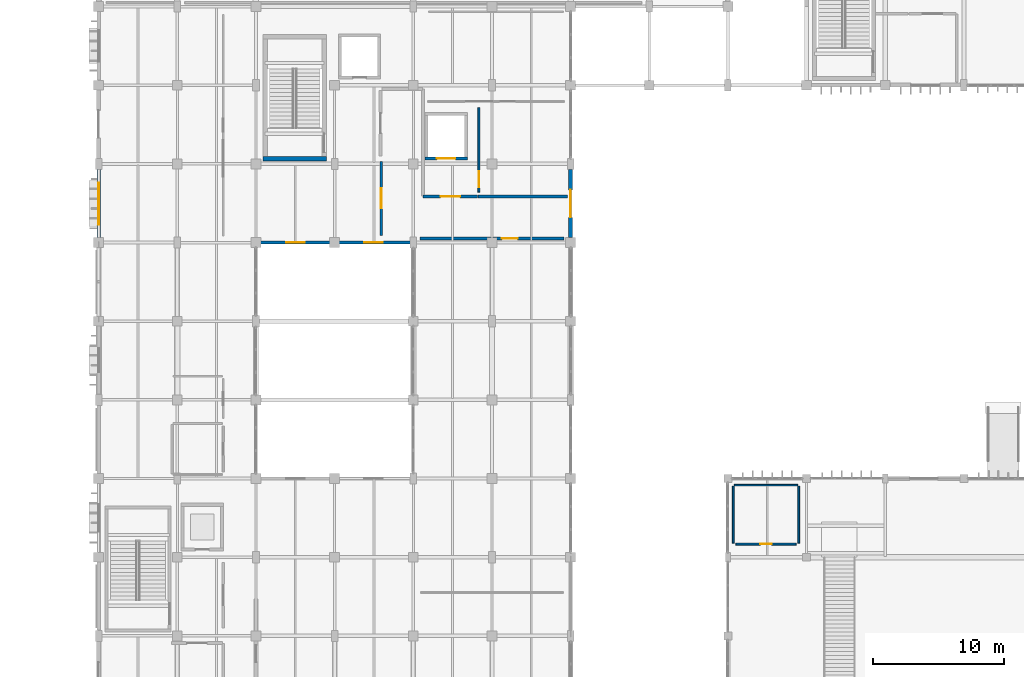
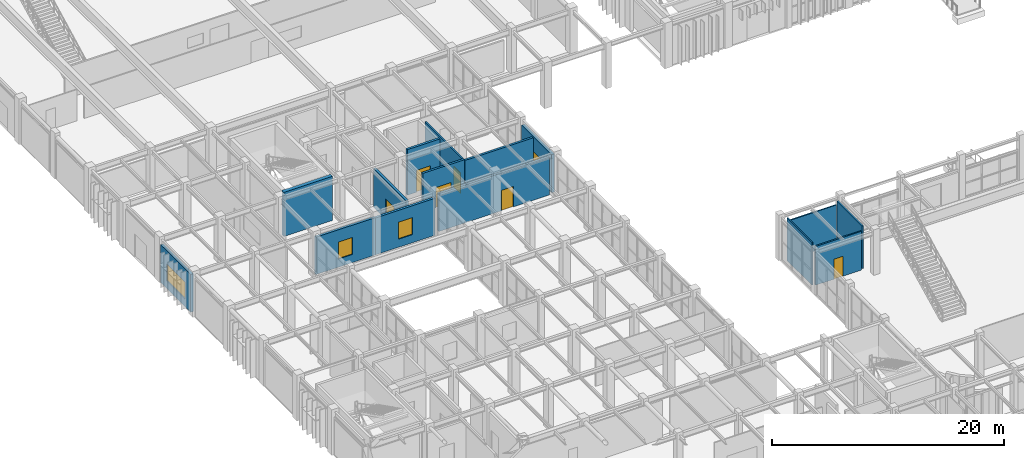
# One storey, part 42 of 76: 15 walls, 7 doors, 3 windows, 10 openings.
"""IFC4 building model written with IfcOpenShell, lengths in metres."""

import ifcopenshell
import ifcopenshell.guid

model = None  # the IFC model being written
_history = None  # IfcOwnerHistory: only IFC2X3 demands one
_inside = {}  # id of a spatial element -> (the spatial element, [elements in it])
_under = {}  # id of a project, library or spatial element -> (it, [spatial elements below it])
_declared = {}  # id of a project -> (the project, [libraries it declares])
_typed = {}  # id of a type object -> (the type object, [elements of that type])
_made_of = {}  # id of a material, layer set ... -> (it, [elements and type objects made of it])


def new_model(schema):
    """Start an empty IFC model of exactly this schema.

    Asked for "IFC4X3", IfcOpenShell would pick the latest addendum, in which some entities
    have other attributes; the version numbers below select the first issue.
    IFC2X3 requires an IfcOwnerHistory on every rooted entity: one is made here for all.
    """
    global model, _history
    if schema == "IFC4X3":
        model = ifcopenshell.file(schema_version=(4, 3, 0, 0))
    else:
        model = ifcopenshell.file(schema=schema)
    _inside.clear()
    _under.clear()
    _declared.clear()
    _typed.clear()
    _made_of.clear()
    _history = None
    if model.schema == "IFC2X3":
        org = make("IfcOrganization", Name="unknown")
        user = make(
            "IfcPersonAndOrganization",
            ThePerson=make("IfcPerson", FamilyName="unknown"),
            TheOrganization=org,
        )
        app = make(
            "IfcApplication",
            ApplicationDeveloper=org,
            Version="unknown",
            ApplicationFullName="unknown",
            ApplicationIdentifier="unknown",
        )
        _history = make(
            "IfcOwnerHistory",
            OwningUser=user,
            OwningApplication=app,
            ChangeAction="ADDED",
            CreationDate=0,
        )
    return model


def make(cls, **values):
    """One entity of the class cls with the attributes given. An attribute that is None is left unset."""
    return model.create_entity(
        cls, **{name: value for name, value in values.items() if value is not None}
    )


def rooted(cls, **values):
    """An entity with a GlobalId (a new one), such as an element, a storey or a relation."""
    return make(cls, GlobalId=ifcopenshell.guid.new(), OwnerHistory=_history, **values)


def si_unit(unit_type, name, prefix=None):
    """IfcSIUnit, for example si_unit("LENGTHUNIT", "METRE", prefix="MILLI")."""
    return make("IfcSIUnit", UnitType=unit_type, Prefix=prefix, Name=name)


def assignment(units):
    """IfcUnitAssignment: the units of a project."""
    return None if units is None else make("IfcUnitAssignment", Units=units)


def point(xyz):
    """IfcCartesianPoint."""
    return None if xyz is None else make("IfcCartesianPoint", Coordinates=xyz)


def direction(xyz):
    """IfcDirection."""
    return None if xyz is None else make("IfcDirection", DirectionRatios=xyz)


def frame(location, z_axis=None, x_axis=None):
    """IfcAxis2Placement3D, a coordinate frame: its origin and axes. An axis left out is left unset."""
    return make(
        "IfcAxis2Placement3D",
        Location=point(location),
        Axis=direction(z_axis),
        RefDirection=direction(x_axis),
    )


def frame_2d(location, x_axis=None):
    """IfcAxis2Placement2D, a coordinate frame in the plane: its origin and x axis."""
    return make(
        "IfcAxis2Placement2D", Location=point(location), RefDirection=direction(x_axis)
    )


def origin():
    """The frame at (0, 0, 0) with its axes left unset."""
    return frame((0.0, 0.0, 0.0))


def place(relative_to, where):
    """IfcLocalPlacement: puts the frame where relative to a parent placement (None: the world)."""
    return make(
        "IfcLocalPlacement", PlacementRelTo=relative_to, RelativePlacement=where
    )


def context(
    kind, dimensions, precision=None, world=None, true_north=None, identifier=None
):
    """IfcGeometricRepresentationContext, for example the 3D "Model" context."""
    return make(
        "IfcGeometricRepresentationContext",
        ContextIdentifier=identifier,
        ContextType=kind,
        CoordinateSpaceDimension=dimensions,
        Precision=precision,
        WorldCoordinateSystem=world,
        TrueNorth=true_north,
    )


def subcontext(parent, identifier, kind, view, scale=None):
    """IfcGeometricRepresentationSubContext, for example "Body" below "Model"."""
    return make(
        "IfcGeometricRepresentationSubContext",
        ContextIdentifier=identifier,
        ContextType=kind,
        ParentContext=parent,
        TargetScale=scale,
        TargetView=view,
    )


def project(units=None, contexts=None):
    """IfcProject with its units and contexts."""
    return rooted(
        "IfcProject",
        Name="project",
        RepresentationContexts=contexts,
        UnitsInContext=assignment(units),
    )


def spatial(cls, under=None, at=None, **own):
    """A site, building, storey or space (cls), placed at a placement, below another one or the project."""
    s = rooted(cls, ObjectPlacement=at, **own)
    if under is not None:
        _under.setdefault(under.id(), (under, []))[1].append(s)
    return s


def profile(cls, at=None, kind="AREA", **sizes):
    """A parametric profile (cls). Its sizes go by their IFC names, for example OverallWidth=200.0."""
    return make(cls, ProfileType=kind, Position=at, **sizes)


def rectangle(**sizes):
    """IfcRectangleProfileDef."""
    return profile("IfcRectangleProfileDef", **sizes)


def extrude(swept, where, along, depth):
    """IfcExtrudedAreaSolid: the profile swept, set in the frame where, extruded along a direction by depth."""
    return make(
        "IfcExtrudedAreaSolid",
        SweptArea=swept,
        Position=where,
        ExtrudedDirection=direction(along),
        Depth=depth,
    )


def shape(context_of_items, identifier, shape_type, items):
    """IfcShapeRepresentation: the items that make up one representation, for example the "Body"."""
    return make(
        "IfcShapeRepresentation",
        ContextOfItems=context_of_items,
        RepresentationIdentifier=identifier,
        RepresentationType=shape_type,
        Items=items,
    )


def material(Name=None, Category=None):
    """IfcMaterial."""
    return make("IfcMaterial", Name=Name, Category=Category)


def layer(
    of_material, thickness, ventilated=None, Name=None, Category=None, Priority=None
):
    """IfcMaterialLayer: one layer of a wall or slab, of a material (None: an air gap)."""
    return make(
        "IfcMaterialLayer",
        Material=of_material,
        LayerThickness=thickness,
        IsVentilated=ventilated,
        Name=Name,
        Category=Category,
        Priority=Priority,
    )


def layer_set(layers, Name=None):
    """IfcMaterialLayerSet."""
    return make("IfcMaterialLayerSet", MaterialLayers=layers, LayerSetName=Name)


def made_of(thing, what):
    """Note that an element or type object is made of a material, layer set ...; save() writes the relation."""
    if what is not None:
        _made_of.setdefault(what.id(), (what, []))[1].append(thing)
    return thing


def type_object(cls, material=None, **own):
    """A type object (cls), such as IfcWallType, which elements share."""
    return made_of(rooted(cls, **own), material)


def element(
    cls,
    number,
    at=None,
    inside=None,
    cuts=None,
    type_object=None,
    material=None,
    context=None,
    identifier="Body",
    shape_type=None,
    held_by="IfcProductDefinitionShape",
    body=None,
    shapes=None,
    **own,
):
    """One element of the class cls, such as IfcWall. Its Tag is "e" and its number.

    at: its placement. inside: the storey or other place that contains it. cuts: it is an
    opening in that element (IfcRelVoidsElement). A single representation is given by context,
    identifier, shape_type and body (its items); several are given by shapes. held_by: the class
    of the entity that holds the representations. save() writes the other relations.
    """
    e = rooted(cls, Tag="e%d" % number, ObjectPlacement=at, **own)
    if body is not None:
        shapes = [shape(context, identifier, shape_type, body)]
    if shapes is not None:
        e.Representation = make(held_by, Representations=shapes)
    if inside is not None:
        _inside.setdefault(inside.id(), (inside, []))[1].append(e)
    if cuts is not None:
        rooted(
            "IfcRelVoidsElement", RelatingBuildingElement=cuts, RelatedOpeningElement=e
        )
    if type_object is not None:
        _typed.setdefault(type_object.id(), (type_object, []))[1].append(e)
    return made_of(e, material)


def fill(opening, filler):
    """IfcRelFillsElement: the door or window that sits in an opening."""
    return rooted(
        "IfcRelFillsElement",
        RelatingOpeningElement=opening,
        RelatedBuildingElement=filler,
    )


def aggregate(whole, parts):
    """IfcRelAggregates: a whole, such as a stair, and the parts it consists of."""
    return rooted("IfcRelAggregates", RelatingObject=whole, RelatedObjects=parts)


def save(model, path):
    """Write the relations noted so far, then the file.

    IfcRelAggregates (storeys below a building ...), IfcRelContainedInSpatialStructure (elements
    in a storey), IfcRelDefinesByType, IfcRelAssociatesMaterial and IfcRelDeclares: one each for
    every whole, place, type object, material and project.
    """
    for whole, parts in _under.values():
        aggregate(whole, parts)
    for where, things in _inside.values():
        rooted(
            "IfcRelContainedInSpatialStructure",
            RelatedElements=things,
            RelatingStructure=where,
        )
    for kind, things in _typed.values():
        rooted("IfcRelDefinesByType", RelatedObjects=things, RelatingType=kind)
    for what, things in _made_of.values():
        rooted("IfcRelAssociatesMaterial", RelatedObjects=things, RelatingMaterial=what)
    for by, libraries in _declared.values():
        rooted("IfcRelDeclares", RelatingContext=by, RelatedDefinitions=libraries)
    model.write(path)


model = new_model("IFC4")

# Units and contexts
model_context = context("Model", 3, precision=1e-05, world=origin(), true_north=direction((0.0, 1.0)))
body_context = subcontext(model_context, "Body", "Model", "MODEL_VIEW")
ifc_project = project(units=[si_unit("LENGTHUNIT", "METRE"), si_unit("AREAUNIT", "SQUARE_METRE"), si_unit("VOLUMEUNIT", "CUBIC_METRE"), si_unit("PLANEANGLEUNIT", "RADIAN"), si_unit("MASSUNIT", "GRAM", prefix="KILO")], contexts=[model_context])

# Site, building, storey
site_placement = place(None, origin())
site = spatial("IfcSite", under=ifc_project, at=site_placement, CompositionType="ELEMENT")
building_placement = place(site_placement, origin())
building = spatial("IfcBuilding", under=site, at=building_placement, Name="Varnakota Square Police Headquarters", CompositionType="ELEMENT")
storey_placement = place(building_placement, origin())
storey = spatial("IfcBuildingStorey", under=building, at=storey_placement, Name="L00", CompositionType="ELEMENT", Elevation=0.0)

# Wall, opening, door
ifc_material_1 = material(Name="Concrete M40", Category="concrete")
ifc_layer_1 = layer(ifc_material_1, 0.22998046875, Name="Concrete M40")
ifc_layer_set_1 = layer_set([ifc_layer_1], Name="Concrete M40")
wall_type_1 = type_object("IfcWallType", Name="WL-CORE-230", PredefinedType="SHEAR", material=ifc_layer_set_1)
wall_1_placement = place(storey_placement, frame((30.885009765625, 63.39990234375, 0.0), z_axis=(0.0, 0.0, 1.0), x_axis=(1.0, 0.0, 0.0)))
wall_1 = element("IfcWall", 1, at=wall_1_placement, inside=storey, type_object=wall_type_1, Name="Lift shaft wall LF-G1 L00 S", PredefinedType="SHEAR", context=body_context, shape_type="SweptSolid", body=[
    extrude(rectangle(XDim=3.22998046875, YDim=0.22998046875, at=frame_2d((1.614990234375, 0.0))), origin(), (0.0, 0.0, 1.0), 4.800048828125),
])
opening_1_placement = place(wall_1_placement, frame((0.9150390625, 0.0, 0.0)))
opening_1 = element("IfcOpeningElement", 2, at=opening_1_placement, cuts=wall_1, Name="Opening LD045", PredefinedType="OPENING", context=body_context, shape_type="SweptSolid", body=[
    extrude(rectangle(XDim=1.39990234375, YDim=2.300048828125, at=frame_2d((0.699951171875, 1.14990234375))), frame((0.0, 0.125, 0.0), z_axis=(0.0, -1.0, 0.0), x_axis=(1.0, 0.0, 0.0)), (0.0, 0.0, 1.0), 0.25),
])
ifc_material_2 = material(Name="Heavy-Gauge Brushed Stainless Steel", Category="steel")
door_type_1 = type_object("IfcDoorType", Name="DR-LD-GDS", OperationType="NOTDEFINED", PredefinedType="DOOR", material=ifc_material_2)
door_1_placement = place(opening_1_placement, origin())
door_1 = element("IfcDoor", 3, at=door_1_placement, inside=storey, type_object=door_type_1, Name="Lift sliding landing door LD045", OperationType="SLIDING_TO_LEFT", OverallHeight=2.300048828125, OverallWidth=1.39990234375, PredefinedType="DOOR", context=body_context, shape_type="SweptSolid", body=[
    extrude(rectangle(XDim=1.39990234375, YDim=2.300048828125, at=frame_2d((0.699951171875, 1.14990234375))), frame((0.0, 0.02490234375, 0.0), z_axis=(0.0, -1.0, 0.0), x_axis=(1.0, 0.0, 0.0)), (0.0, 0.0, 1.0), 0.050048828125),
])
fill(opening_1, door_1)

# Wall
ifc_material_3 = material(Name="Concrete M50", Category="concrete")
ifc_layer_2 = layer(ifc_material_3, 0.35009765625, Name="Concrete M50")
ifc_layer_set_2 = layer_set([ifc_layer_2], Name="Concrete M50")
wall_type_2 = type_object("IfcWallType", Name="WL-CORE-350", PredefinedType="SHEAR", material=ifc_layer_set_2)
wall_2_placement = place(storey_placement, frame((18.52490234375, 63.39990234375, 0.0), z_axis=(0.0, 0.0, 1.0), x_axis=(1.0, 0.0, 0.0)))
element("IfcWall", 4, at=wall_2_placement, inside=storey, type_object=wall_type_2, Name="Core C5 shear wall L00 S", PredefinedType="SHEAR", context=body_context, shape_type="SweptSolid", body=[
    extrude(rectangle(XDim=4.85009765625, YDim=0.35009765625, at=frame_2d((2.425048828125, 0.0))), origin(), (0.0, 0.0, 1.0), 4.659912109375),
])

# Wall, opening, window
ifc_layer_3 = layer(ifc_material_1, 0.239990234375, Name="Concrete M40")
ifc_layer_set_3 = layer_set([ifc_layer_3], Name="Concrete M40")
wall_type_3 = type_object("IfcWallType", Name="WL-EXT-240", PredefinedType="SOLIDWALL", material=ifc_layer_set_3)
wall_3_placement = place(storey_placement, frame((18.050048828125, 57.0, 0.0), z_axis=(0.0, 0.0, 1.0), x_axis=(1.0, 0.0, 0.0)))
wall_3 = element("IfcWall", 5, at=wall_3_placement, inside=storey, type_object=wall_type_3, Name="Court exterior wall EW-L00-0395", PredefinedType="SOLIDWALL", context=body_context, shape_type="SweptSolid", body=[
    extrude(rectangle(XDim=5.949951171875, YDim=0.239990234375, at=frame_2d((2.97509765625, 0.0))), origin(), (0.0, 0.0, 1.0), 3.93994140625),
])
opening_2_placement = place(wall_3_placement, frame((2.27490234375, 0.0, 0.85009765625)))
opening_2 = element("IfcOpeningElement", 6, at=opening_2_placement, cuts=wall_3, Name="Opening W16", PredefinedType="OPENING", context=body_context, shape_type="SweptSolid", body=[
    extrude(rectangle(XDim=1.39990234375, YDim=1.800048828125, at=frame_2d((0.699951171875, 0.89990234375))), frame((0.0, 0.1298828125, 0.0), z_axis=(0.0, -1.0, 0.0), x_axis=(1.0, 0.0, 0.0)), (0.0, 0.0, 1.0), 0.260009765625),
])
ifc_material_4 = material(Name="Thermally Broken Aluminium Double-Glazed Window", Category="aluminium")
window_type_1 = type_object("IfcWindowType", Name="WIN-16", PartitioningType="SINGLE_PANEL", PredefinedType="WINDOW", material=ifc_material_4)
window_1_placement = place(opening_2_placement, origin())
window_1 = element("IfcWindow", 7, at=window_1_placement, inside=storey, type_object=window_type_1, Name="Window WN-L00-0070", OverallHeight=1.800048828125, OverallWidth=1.39990234375, PartitioningType="SINGLE_PANEL", PredefinedType="WINDOW", context=body_context, shape_type="SweptSolid", body=[
    extrude(rectangle(XDim=1.39990234375, YDim=1.800048828125, at=frame_2d((0.699951171875, 0.89990234375))), frame((0.0, 0.030029296875, 0.0), z_axis=(0.0, -1.0, 0.0), x_axis=(1.0, 0.0, 0.0)), (0.0, 0.0, 1.0), 0.06005859375),
])
fill(opening_2, window_1)

wall_4_placement = place(storey_placement, frame((24.0, 57.0, 0.0), z_axis=(0.0, 0.0, 1.0), x_axis=(1.0, 0.0, 0.0)))
wall_4 = element("IfcWall", 8, at=wall_4_placement, inside=storey, type_object=wall_type_3, Name="Court exterior wall EW-L00-0397", PredefinedType="SOLIDWALL", context=body_context, shape_type="SweptSolid", body=[
    extrude(rectangle(XDim=5.949951171875, YDim=0.239990234375, at=frame_2d((2.97509765625, 0.0))), origin(), (0.0, 0.0, 1.0), 3.889892578125),
])
opening_3_placement = place(wall_4_placement, frame((2.27490234375, 0.0, 0.85009765625)))
opening_3 = element("IfcOpeningElement", 9, at=opening_3_placement, cuts=wall_4, Name="Opening W16", PredefinedType="OPENING", context=body_context, shape_type="SweptSolid", body=[
    extrude(rectangle(XDim=1.39990234375, YDim=1.800048828125, at=frame_2d((0.699951171875, 0.89990234375))), frame((0.0, 0.1298828125, 0.0), z_axis=(0.0, -1.0, 0.0), x_axis=(1.0, 0.0, 0.0)), (0.0, 0.0, 1.0), 0.260009765625),
])
window_2_placement = place(opening_3_placement, origin())
window_2 = element("IfcWindow", 10, at=window_2_placement, inside=storey, type_object=window_type_1, Name="Window WN-L00-0072", OverallHeight=1.800048828125, OverallWidth=1.39990234375, PartitioningType="SINGLE_PANEL", PredefinedType="WINDOW", context=body_context, shape_type="SweptSolid", body=[
    extrude(rectangle(XDim=1.39990234375, YDim=1.800048828125, at=frame_2d((0.699951171875, 0.89990234375))), frame((0.0, 0.030029296875, 0.0), z_axis=(0.0, -1.0, 0.0), x_axis=(1.0, 0.0, 0.0)), (0.0, 0.0, 1.0), 0.06005859375),
])
fill(opening_3, window_2)

ifc_layer_4 = layer(ifc_material_1, 0.280029296875, Name="Concrete M40")
ifc_layer_set_4 = layer_set([ifc_layer_4], Name="Concrete M40")
wall_type_4 = type_object("IfcWallType", Name="WL-EXT-280", PredefinedType="SOLIDWALL", material=ifc_layer_set_4)
wall_5_placement = place(storey_placement, frame((6.0, 57.37890625, 0.0), z_axis=(0.0, 0.0, 1.0), x_axis=(0.0, 1.0, 0.0)))
wall_5 = element("IfcWall", 11, at=wall_5_placement, inside=storey, type_object=wall_type_4, Name="Exterior wall EW-L00-0390", PredefinedType="SOLIDWALL", context=body_context, shape_type="SweptSolid", body=[
    extrude(rectangle(XDim=5.192138671875, YDim=0.280029296875, at=frame_2d((2.59619140625, 0.0))), origin(), (0.0, 0.0, 1.0), 3.989990234375),
])
opening_4_placement = place(wall_5_placement, frame((0.99609375, 0.0, 0.800048828125)))
opening_4 = element("IfcOpeningElement", 12, at=opening_4_placement, cuts=wall_5, Name="Opening W15", PredefinedType="OPENING", context=body_context, shape_type="SweptSolid", body=[
    extrude(rectangle(XDim=3.199951171875, YDim=1.800048828125, at=frame_2d((1.60009765625, 0.89990234375))), frame((0.0, 0.14990234375, 0.0), z_axis=(0.0, -1.0, 0.0), x_axis=(1.0, 0.0, 0.0)), (0.0, 0.0, 1.0), 0.300048828125),
])
window_type_2 = type_object("IfcWindowType", Name="WIN-15", PartitioningType="SINGLE_PANEL", PredefinedType="WINDOW", material=ifc_material_4)
window_3_placement = place(opening_4_placement, origin())
window_3 = element("IfcWindow", 13, at=window_3_placement, inside=storey, type_object=window_type_2, Name="Window WN-L00-0067", OverallHeight=1.800048828125, OverallWidth=3.199951171875, PartitioningType="SINGLE_PANEL", PredefinedType="WINDOW", context=body_context, shape_type="SweptSolid", body=[
    extrude(rectangle(XDim=3.199951171875, YDim=1.800048828125, at=frame_2d((1.60009765625, 0.89990234375))), frame((0.0, 0.030029296875, 0.0), z_axis=(0.0, -1.0, 0.0), x_axis=(1.0, 0.0, 0.0)), (0.0, 0.0, 1.0), 0.06005859375),
])
fill(opening_4, window_3)

# Wall, opening, door
ifc_material_5 = material(Name="Precast concrete M40", Category="concrete")
ifc_layer_5 = layer(ifc_material_5, 0.300048828125, Name="Precast concrete M40")
ifc_layer_set_5 = layer_set([ifc_layer_5], Name="Precast concrete M40")
wall_type_5 = type_object("IfcWallType", Name="WL-EXT-300", PredefinedType="SOLIDWALL", material=ifc_layer_set_5)
wall_6_placement = place(storey_placement, frame((42.0, 57.37890625, 0.0), z_axis=(0.0, 0.0, 1.0), x_axis=(0.0, 1.0, 0.0)))
wall_6 = element("IfcWall", 14, at=wall_6_placement, inside=storey, type_object=wall_type_5, Name="Exterior wall EW-L00-0391", PredefinedType="SOLIDWALL", context=body_context, shape_type="SweptSolid", body=[
    extrude(rectangle(XDim=5.192138671875, YDim=0.300048828125, at=frame_2d((2.59619140625, 0.0))), origin(), (0.0, 0.0, 1.0), 3.989990234375),
])
opening_5_placement = place(wall_6_placement, frame((1.5458984375, 0.0, 0.0)))
opening_5 = element("IfcOpeningElement", 15, at=opening_5_placement, cuts=wall_6, Name="Opening ED18", PredefinedType="OPENING", context=body_context, shape_type="SweptSolid", body=[
    extrude(rectangle(XDim=2.10009765625, YDim=2.39990234375, at=frame_2d((1.050048828125, 1.199951171875))), frame((0.0, 0.159912109375, 0.0), z_axis=(0.0, -1.0, 0.0), x_axis=(1.0, 0.0, 0.0)), (0.0, 0.0, 1.0), 0.320068359375),
])
ifc_material_6 = material(Name="Anodised Aluminium Glazed Exit Door", Category="aluminium")
door_type_2 = type_object("IfcDoorType", Name="DR-EXT-ED210", OperationType="NOTDEFINED", PredefinedType="DOOR", material=ifc_material_6)
door_2_placement = place(opening_5_placement, frame((2.10009765625, 0.0, 0.0), z_axis=(0.0, 0.0, 1.0), x_axis=(-1.0, 0.0, 0.0)))
door_2 = element("IfcDoor", 16, at=door_2_placement, inside=storey, type_object=door_type_2, Name="Exterior door ED18", OperationType="DOUBLE_DOOR_SINGLE_SWING", OverallHeight=2.39990234375, OverallWidth=2.10009765625, PredefinedType="DOOR", context=body_context, shape_type="SweptSolid", body=[
    extrude(rectangle(XDim=2.10009765625, YDim=2.39990234375, at=frame_2d((1.050048828125, 1.199951171875))), frame((0.0, 0.02490234375, 0.0), z_axis=(0.0, -1.0, 0.0), x_axis=(1.0, 0.0, 0.0)), (0.0, 0.0, 1.0), 0.050048828125),
])
fill(opening_5, door_2)

# Walls
ifc_material_7 = material(Name="Moisture-Resistant Tile-Backed Partition", Category="gypsum")
ifc_layer_6 = layer(ifc_material_7, 0.114990234375, Name="Moisture-Resistant Tile-Backed Partition")
ifc_layer_set_6 = layer_set([ifc_layer_6], Name="Moisture-Resistant Tile-Backed Partition")
wall_type_6 = type_object("IfcWallType", Name="WL-PRT-115", PredefinedType="PARTITIONING", material=ifc_layer_set_6)
wall_7_placement = place(storey_placement, frame((54.47998046875, 38.5, 0.0), z_axis=(0.0, 0.0, 1.0), x_axis=(1.0, 0.0, 0.0)))
element("IfcWall", 17, at=wall_7_placement, inside=storey, type_object=wall_type_6, Name="Interior dividing partition PW-L00-0067 (L00 Public Men Washroom WC)", PredefinedType="PARTITIONING", context=body_context, shape_type="SweptSolid", body=[
    extrude(rectangle(XDim=4.840087890625, YDim=0.114990234375, at=frame_2d((2.419921875, 0.0))), origin(), (0.0, 0.0, 1.0), 4.090087890625),
])
ifc_material_8 = material(Name="Acoustic Insulated Metal-Stud Partition", Category="gypsum")
ifc_layer_7 = layer(ifc_material_8, 0.125, Name="Acoustic Insulated Metal-Stud Partition")
ifc_layer_set_7 = layer_set([ifc_layer_7], Name="Acoustic Insulated Metal-Stud Partition")
wall_type_7 = type_object("IfcWallType", Name="WL-PRT-125", PredefinedType="PARTITIONING", material=ifc_layer_set_7)
wall_8_placement = place(storey_placement, frame((54.39990234375, 34.080078125, 0.0), z_axis=(0.0, 0.0, 1.0), x_axis=(0.0, 1.0, 0.0)))
element("IfcWall", 18, at=wall_8_placement, inside=storey, type_object=wall_type_7, Name="Interior dividing partition PW-L00-0066 (L00 Public Men Washroom WC)", PredefinedType="PARTITIONING", context=body_context, shape_type="SweptSolid", body=[
    extrude(rectangle(XDim=4.33984375, YDim=0.125, at=frame_2d((2.169921875, 0.0))), origin(), (0.0, 0.0, 1.0), 4.489990234375),
])

# Wall, opening, door
ifc_layer_8 = layer(ifc_material_8, 0.139892578125, Name="Acoustic Insulated Metal-Stud Partition")
ifc_layer_set_8 = layer_set([ifc_layer_8], Name="Acoustic Insulated Metal-Stud Partition")
wall_type_8 = type_object("IfcWallType", Name="WL-PRT-140", PredefinedType="PARTITIONING", material=ifc_layer_set_8)
wall_9_placement = place(storey_placement, frame((59.199951171875, 34.0, 0.0), z_axis=(0.0, 0.0, 1.0), x_axis=(-1.0, 0.0, 0.0)))
wall_9 = element("IfcWall", 19, at=wall_9_placement, inside=storey, type_object=wall_type_8, Name="Interior partition PW-L00-0025 (L00 Public Men Washroom WC)", PredefinedType="PARTITIONING", context=body_context, shape_type="SweptSolid", body=[
    extrude(rectangle(XDim=4.599853515625, YDim=0.139892578125, at=frame_2d((2.2998046875, 0.0))), origin(), (0.0, 0.0, 1.0), 4.090087890625),
])
opening_6_placement = place(wall_9_placement, frame((1.85009765625, 0.0, 0.0)))
opening_6 = element("IfcOpeningElement", 20, at=opening_6_placement, cuts=wall_9, Name="Opening D157", PredefinedType="OPENING", context=body_context, shape_type="SweptSolid", body=[
    extrude(rectangle(XDim=0.89990234375, YDim=2.10009765625, at=frame_2d((0.449951171875, 1.050048828125))), frame((0.0, 0.079833984375, 0.0), z_axis=(0.0, -1.0, 0.0), x_axis=(1.0, 0.0, 0.0)), (0.0, 0.0, 1.0), 0.159912109375),
])
ifc_material_9 = material(Name="High-Pressure Moisture-Resistant Compact Laminate")
door_type_3 = type_object("IfcDoorType", Name="DR-WC-090", OperationType="NOTDEFINED", PredefinedType="DOOR", material=ifc_material_9)
door_3_placement = place(opening_6_placement, origin())
door_3 = element("IfcDoor", 21, at=door_3_placement, inside=storey, type_object=door_type_3, Name="Room door D157 (L00 Public Men Washroom WC)", OperationType="SINGLE_SWING_LEFT", OverallHeight=2.10009765625, OverallWidth=0.89990234375, PredefinedType="DOOR", context=body_context, shape_type="SweptSolid", body=[
    extrude(rectangle(XDim=0.89990234375, YDim=2.10009765625, at=frame_2d((0.449951171875, 1.050048828125))), frame((0.0, 0.02490234375, 0.0), z_axis=(0.0, -1.0, 0.0), x_axis=(1.0, 0.0, 0.0)), (0.0, 0.0, 1.0), 0.050048828125),
])
fill(opening_6, door_3)

# Wall
wall_10_placement = place(storey_placement, frame((59.39990234375, 38.419921875, 0.0), z_axis=(0.0, 0.0, 1.0), x_axis=(0.0, -1.0, 0.0)))
element("IfcWall", 22, at=wall_10_placement, inside=storey, type_object=wall_type_8, Name="Interior dividing partition PW-L00-0065 (L00 Public Men Washroom WC)", PredefinedType="PARTITIONING", context=body_context, shape_type="SweptSolid", body=[
    extrude(rectangle(XDim=4.33984375, YDim=0.139892578125, at=frame_2d((2.169921875, 0.0))), origin(), (0.0, 0.0, 1.0), 4.489990234375),
])

# Wall, opening, door
ifc_material_10 = material(Name="Fire-Rated Double Gypsum Stud Partition", Category="gypsum")
ifc_layer_9 = layer(ifc_material_10, 0.14990234375, Name="Fire-Rated Double Gypsum Stud Partition")
ifc_layer_set_9 = layer_set([ifc_layer_9], Name="Fire-Rated Double Gypsum Stud Partition")
wall_type_9 = type_object("IfcWallType", Name="WL-PRT-150F", PredefinedType="PARTITIONING", material=ifc_layer_set_9)
wall_11_placement = place(storey_placement, frame((35.0, 60.85009765625, 0.0), z_axis=(0.0, 0.0, 1.0), x_axis=(0.0, 1.0, 0.0)))
wall_11 = element("IfcWall", 23, at=wall_11_placement, inside=storey, type_object=wall_type_9, Name="Interior partition PW-L00-0044 (Forensic Drying Laboratory)", PredefinedType="PARTITIONING", context=body_context, shape_type="SweptSolid", body=[
    extrude(rectangle(XDim=6.449951171875, YDim=0.14990234375, at=frame_2d((3.22509765625, 0.0))), origin(), (0.0, 0.0, 1.0), 3.889892578125),
])
opening_7_placement = place(wall_11_placement, frame((0.375, 0.0, 0.0)))
opening_7 = element("IfcOpeningElement", 24, at=opening_7_placement, cuts=wall_11, Name="Opening D176", PredefinedType="OPENING", context=body_context, shape_type="SweptSolid", body=[
    extrude(rectangle(XDim=1.199951171875, YDim=2.14990234375, at=frame_2d((0.60009765625, 1.074951171875))), frame((0.0, 0.0849609375, 0.0), z_axis=(0.0, -1.0, 0.0), x_axis=(1.0, 0.0, 0.0)), (0.0, 0.0, 1.0), 0.169921875),
])
ifc_material_11 = material(Name="Phenolic-Faced Fire-Rated Composite")
door_type_4 = type_object("IfcDoorType", Name="DR-LAB-120", OperationType="NOTDEFINED", PredefinedType="DOOR", material=ifc_material_11)
door_4_placement = place(opening_7_placement, origin())
door_4 = element("IfcDoor", 25, at=door_4_placement, inside=storey, type_object=door_type_4, Name="Room door D176 (Forensic Drying Laboratory)", OperationType="SINGLE_SWING_LEFT", OverallHeight=2.14990234375, OverallWidth=1.199951171875, PredefinedType="DOOR", context=body_context, shape_type="SweptSolid", body=[
    extrude(rectangle(XDim=1.199951171875, YDim=2.14990234375, at=frame_2d((0.60009765625, 1.074951171875))), frame((0.0, 0.02490234375, 0.0), z_axis=(0.0, -1.0, 0.0), x_axis=(1.0, 0.0, 0.0)), (0.0, 0.0, 1.0), 0.050048828125),
])
fill(opening_7, door_4)

ifc_layer_10 = layer(ifc_material_1, 0.215087890625, Name="Concrete M40")
ifc_layer_set_10 = layer_set([ifc_layer_10], Name="Concrete M40")
wall_type_10 = type_object("IfcWallType", Name="WL-PRT-215F", PredefinedType="PARTITIONING", material=ifc_layer_set_10)
wall_12_placement = place(storey_placement, frame((27.550048828125, 57.550048828125, 0.0), z_axis=(0.0, 0.0, 1.0), x_axis=(0.0, 1.0, 0.0)))
wall_12 = element("IfcWall", 26, at=wall_12_placement, inside=storey, type_object=wall_type_10, Name="Protected exit passageway fire wall EXW-C5-W", PredefinedType="PARTITIONING", context=body_context, shape_type="SweptSolid", body=[
    extrude(rectangle(XDim=5.64990234375, YDim=0.215087890625, at=frame_2d((2.824951171875, 0.0))), origin(), (0.0, 0.0, 1.0), 4.090087890625),
])
opening_8_placement = place(wall_12_placement, frame((2.074951171875, 0.0, 0.0)))
opening_8 = element("IfcOpeningElement", 27, at=opening_8_placement, cuts=wall_12, Name="Opening FD140", PredefinedType="OPENING", context=body_context, shape_type="SweptSolid", body=[
    extrude(rectangle(XDim=1.5, YDim=2.14990234375, at=frame_2d((0.75, 1.074951171875))), frame((0.0, 0.117431640625, 0.0), z_axis=(0.0, -1.0, 0.0), x_axis=(1.0, 0.0, 0.0)), (0.0, 0.0, 1.0), 0.235107421875),
])
ifc_material_12 = material(Name="Smoke-Sealed Galvanised Acoustic Steel", Category="steel")
door_type_5 = type_object("IfcDoorType", Name="DR-FFL-150", OperationType="NOTDEFINED", PredefinedType="DOOR", material=ifc_material_12)
door_5_placement = place(opening_8_placement, origin())
door_5 = element("IfcDoor", 28, at=door_5_placement, inside=storey, type_object=door_type_5, Name="Protected exit passageway fire door FD140", OperationType="DOUBLE_DOOR_SINGLE_SWING", OverallHeight=2.14990234375, OverallWidth=1.5, PredefinedType="DOOR", context=body_context, shape_type="SweptSolid", body=[
    extrude(rectangle(XDim=1.5, YDim=2.14990234375, at=frame_2d((0.75, 1.074951171875))), frame((0.0, 0.02490234375, 0.0), z_axis=(0.0, -1.0, 0.0), x_axis=(1.0, 0.0, 0.0)), (0.0, 0.0, 1.0), 0.050048828125),
])
fill(opening_8, door_5)

wall_13_placement = place(storey_placement, frame((30.75, 60.5, 0.0), z_axis=(0.0, 0.0, 1.0), x_axis=(1.0, 0.0, 0.0)))
wall_13 = element("IfcWall", 29, at=wall_13_placement, inside=storey, type_object=wall_type_10, Name="Protected exit passageway fire wall EXW-C5-NE", PredefinedType="PARTITIONING", context=body_context, shape_type="SweptSolid", body=[
    extrude(rectangle(XDim=4.14990234375, YDim=0.215087890625, at=frame_2d((2.074951171875, 0.0))), origin(), (0.0, 0.0, 1.0), 4.090087890625),
])
opening_9_placement = place(wall_13_placement, frame((1.324951171875, 0.0, 0.0)))
opening_9 = element("IfcOpeningElement", 30, at=opening_9_placement, cuts=wall_13, Name="Opening FD141", PredefinedType="OPENING", context=body_context, shape_type="SweptSolid", body=[
    extrude(rectangle(XDim=1.5, YDim=2.14990234375, at=frame_2d((0.75, 1.074951171875))), frame((0.0, 0.117431640625, 0.0), z_axis=(0.0, -1.0, 0.0), x_axis=(1.0, 0.0, 0.0)), (0.0, 0.0, 1.0), 0.235107421875),
])
door_6_placement = place(opening_9_placement, origin())
door_6 = element("IfcDoor", 31, at=door_6_placement, inside=storey, type_object=door_type_5, Name="Protected exit passageway fire door FD141", OperationType="DOUBLE_DOOR_SINGLE_SWING", OverallHeight=2.14990234375, OverallWidth=1.5, PredefinedType="DOOR", context=body_context, shape_type="SweptSolid", body=[
    extrude(rectangle(XDim=1.5, YDim=2.14990234375, at=frame_2d((0.75, 1.074951171875))), frame((0.0, 0.02490234375, 0.0), z_axis=(0.0, -1.0, 0.0), x_axis=(1.0, 0.0, 0.0)), (0.0, 0.0, 1.0), 0.050048828125),
])
fill(opening_9, door_6)

# Wall
wall_14_placement = place(storey_placement, frame((34.949951171875, 60.5, 0.0), z_axis=(0.0, 0.0, 1.0), x_axis=(1.0, 0.0, 0.0)))
element("IfcWall", 32, at=wall_14_placement, inside=storey, type_object=wall_type_10, Name="Protected exit passageway fire wall EXW-C5-NE2", PredefinedType="PARTITIONING", context=body_context, shape_type="SweptSolid", body=[
    extrude(rectangle(XDim=6.800048828125, YDim=0.215087890625, at=frame_2d((3.39990234375, 0.0))), origin(), (0.0, 0.0, 1.0), 3.989990234375),
])

# Wall, opening, door
wall_15_placement = place(storey_placement, frame((30.5, 57.300048828125, 0.0), z_axis=(0.0, 0.0, 1.0), x_axis=(1.0, 0.0, 0.0)))
wall_15 = element("IfcWall", 33, at=wall_15_placement, inside=storey, type_object=wall_type_10, Name="Interior partition PW-L00-0042 (Chain-of-Custody Logging Laboratory)", PredefinedType="PARTITIONING", context=body_context, shape_type="SweptSolid", body=[
    extrude(rectangle(XDim=11.0, YDim=0.215087890625, at=frame_2d((5.5, 0.0))), origin(), (0.0, 0.0, 1.0), 3.989990234375),
])
opening_10_placement = place(wall_15_placement, frame((6.25, 0.0, 0.0)))
opening_10 = element("IfcOpeningElement", 34, at=opening_10_placement, cuts=wall_15, Name="Opening D174", PredefinedType="OPENING", context=body_context, shape_type="SweptSolid", body=[
    extrude(rectangle(XDim=1.199951171875, YDim=2.14990234375, at=frame_2d((0.60009765625, 1.074951171875))), frame((0.0, 0.117431640625, 0.0), z_axis=(0.0, -1.0, 0.0), x_axis=(1.0, 0.0, 0.0)), (0.0, 0.0, 1.0), 0.235107421875),
])
door_7_placement = place(opening_10_placement, origin())
door_7 = element("IfcDoor", 35, at=door_7_placement, inside=storey, type_object=door_type_4, Name="Room door D174 (Chain-of-Custody Logging Laboratory)", OperationType="SINGLE_SWING_LEFT", OverallHeight=2.14990234375, OverallWidth=1.199951171875, PredefinedType="DOOR", context=body_context, shape_type="SweptSolid", body=[
    extrude(rectangle(XDim=1.199951171875, YDim=2.14990234375, at=frame_2d((0.60009765625, 1.074951171875))), frame((0.0, 0.02490234375, 0.0), z_axis=(0.0, -1.0, 0.0), x_axis=(1.0, 0.0, 0.0)), (0.0, 0.0, 1.0), 0.050048828125),
])
fill(opening_10, door_7)

save(model, "model.ifc")
